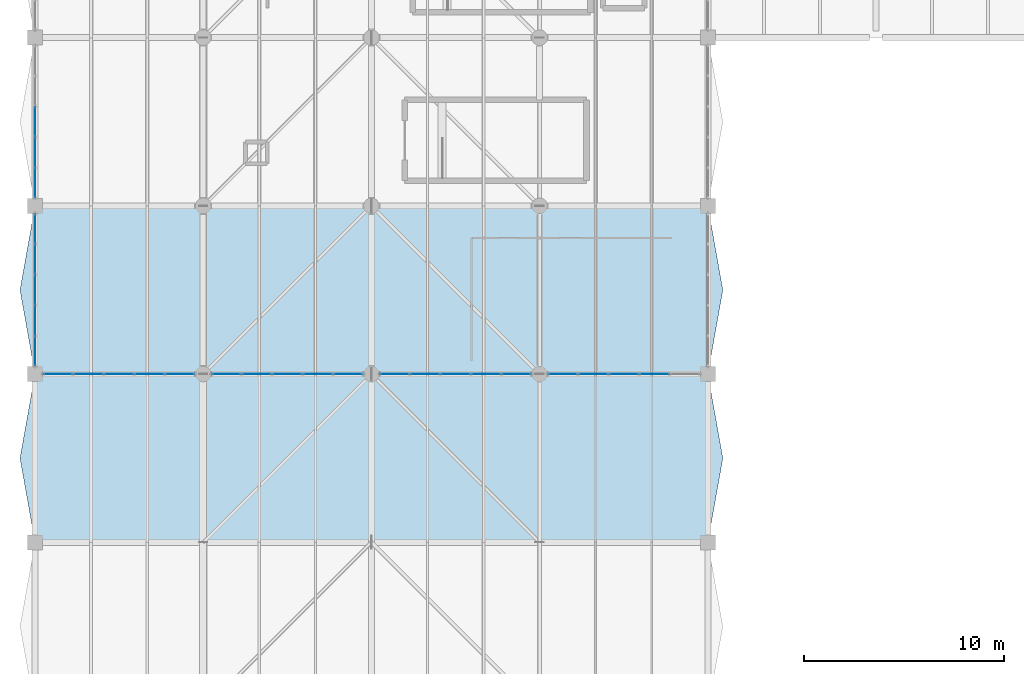
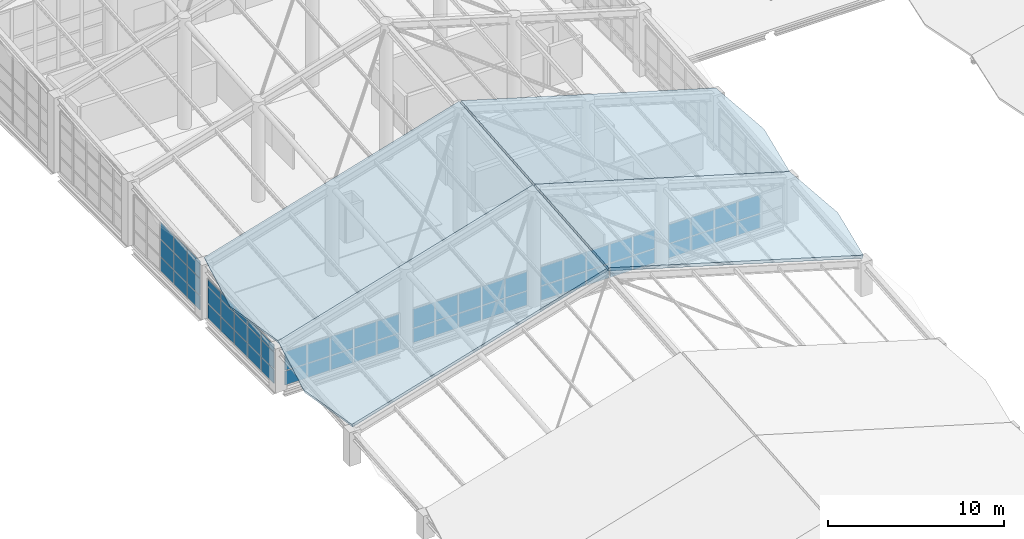
# One storey, part 67 of 95: 62 plates, 4 slabs, 6 elements without a shape of their own.
"""IFC4 building model written with IfcOpenShell, lengths in metres."""

from ifc_helpers import new_model, si_unit, direction, frame, origin, origin_2d, place, context, subcontext, project, spatial, polyline, rectangle, outline, extrude, material, layer, layer_set, type_object, element, aggregate, save


model = new_model("IFC4")

# Units and contexts
model_context = context("Model", 3, precision=1e-05, world=origin(), true_north=direction((0.0, 1.0)))
body_context = subcontext(model_context, "Body", "Model", "MODEL_VIEW")
ifc_project = project(units=[si_unit("LENGTHUNIT", "METRE"), si_unit("AREAUNIT", "SQUARE_METRE"), si_unit("VOLUMEUNIT", "CUBIC_METRE"), si_unit("PLANEANGLEUNIT", "RADIAN"), si_unit("MASSUNIT", "GRAM", prefix="KILO"), si_unit("THERMODYNAMICTEMPERATUREUNIT", "KELVIN"), si_unit("POWERUNIT", "WATT")], contexts=[model_context])

# Site, building, storey
site_placement = place(None, origin())
site = spatial("IfcSite", under=ifc_project, at=site_placement, CompositionType="ELEMENT")
building_placement = place(site_placement, origin())
building = spatial("IfcBuilding", under=site, at=building_placement, Name="Mavoryth Pier Ferry Terminal", CompositionType="ELEMENT")
storey_placement = place(building_placement, frame((0.0, 0.0, 9.60009765625)))
storey = spatial("IfcBuildingStorey", under=building, at=storey_placement, Name="L02", CompositionType="ELEMENT", Elevation=9.60009765625)

# Curtain wall, plates
ifc_material_1 = material(Name="Anodised Aluminium and Solar-Control Low-E Glass", Category="aluminium")
ifc_layer_1 = layer(ifc_material_1, 0.179931640625, Name="Anodised Aluminium and Solar-Control Low-E Glass", Category="aluminium")
ifc_layer_set_1 = layer_set([ifc_layer_1], Name="Anodised Aluminium and Solar-Control Low-E Glass - CW-Concourse-Mod1400")
curtain_wall_type = type_object("IfcCurtainWallType", Name="CW-Concourse-Mod1400", PredefinedType="USERDEFINED", material=ifc_layer_set_1)
curtain_wall_1_placement = place(storey_placement, origin())
curtain_wall_1 = element("IfcCurtainWall", 1, at=curtain_wall_1_placement, inside=storey, type_object=curtain_wall_type, Name="Curtain Wall CW-0222-039", ObjectType="UNITISED CURTAIN WALL", PredefinedType="USERDEFINED")
ifc_material_2 = material(Name="Solar-Control Low-E Laminated Double Glazing", Category="glass")
ifc_layer_2 = layer(ifc_material_2, 0.02392578125, Name="Solar-Control Low-E Laminated Double Glazing", Category="glass")
ifc_layer_set_2 = layer_set([ifc_layer_2], Name="Solar-Control Low-E Laminated Double Glazing - Panel-LowE-DGU-24")
plate_type_1 = type_object("IfcPlateType", Name="Panel-LowE-DGU-24", PredefinedType="CURTAIN_PANEL", material=ifc_layer_set_2)
plate_1_placement = place(storey_placement, frame((1.153564453125, 72.39990234375, 0.059814453125), z_axis=(0.0, 0.0, 1.0), x_axis=(1.0, 0.0, 0.0)))
plate_1 = element("IfcPlate", 2, at=plate_1_placement, type_object=plate_type_1, Name="CW01 panel 1.1", PredefinedType="CURTAIN_PANEL", context=body_context, shape_type="SweptSolid", body=[
    extrude(rectangle(XDim=1.43701171875, YDim=0.02392578125, at=origin_2d()), origin(), (0.0, 0.0, 1.0), 0.9599609375),
])
plate_2_placement = place(storey_placement, frame((1.153564453125, 72.39990234375, 1.079833984375), z_axis=(0.0, 0.0, 1.0), x_axis=(1.0, 0.0, 0.0)))
plate_2 = element("IfcPlate", 3, at=plate_2_placement, type_object=plate_type_1, Name="CW01 panel 1.2", PredefinedType="CURTAIN_PANEL", context=body_context, shape_type="SweptSolid", body=[
    extrude(rectangle(XDim=1.43701171875, YDim=0.02392578125, at=origin_2d()), origin(), (0.0, 0.0, 1.0), 1.2958984375),
])
plate_3_placement = place(storey_placement, frame((2.66552734375, 72.39990234375, 0.059814453125), z_axis=(0.0, 0.0, 1.0), x_axis=(1.0, 0.0, 0.0)))
plate_3 = element("IfcPlate", 4, at=plate_3_placement, type_object=plate_type_1, Name="CW01 panel 2.1", PredefinedType="CURTAIN_PANEL", context=body_context, shape_type="SweptSolid", body=[
    extrude(rectangle(XDim=1.467041015625, YDim=0.02392578125, at=origin_2d()), origin(), (0.0, 0.0, 1.0), 0.9599609375),
])
plate_4_placement = place(storey_placement, frame((2.66552734375, 72.39990234375, 1.079833984375), z_axis=(0.0, 0.0, 1.0), x_axis=(1.0, 0.0, 0.0)))
plate_4 = element("IfcPlate", 5, at=plate_4_placement, type_object=plate_type_1, Name="CW01 panel 2.2", PredefinedType="CURTAIN_PANEL", context=body_context, shape_type="SweptSolid", body=[
    extrude(rectangle(XDim=1.467041015625, YDim=0.02392578125, at=origin_2d()), origin(), (0.0, 0.0, 1.0), 1.2958984375),
])
plate_5_placement = place(storey_placement, frame((4.1923828125, 72.39990234375, 0.059814453125), z_axis=(0.0, 0.0, 1.0), x_axis=(1.0, 0.0, 0.0)))
plate_5 = element("IfcPlate", 6, at=plate_5_placement, type_object=plate_type_1, Name="CW01 panel 3.1", PredefinedType="CURTAIN_PANEL", context=body_context, shape_type="SweptSolid", body=[
    extrude(rectangle(XDim=1.467041015625, YDim=0.02392578125, at=origin_2d()), origin(), (0.0, 0.0, 1.0), 0.9599609375),
])
plate_6_placement = place(storey_placement, frame((4.1923828125, 72.39990234375, 1.079833984375), z_axis=(0.0, 0.0, 1.0), x_axis=(1.0, 0.0, 0.0)))
plate_6 = element("IfcPlate", 7, at=plate_6_placement, type_object=plate_type_1, Name="CW01 panel 3.2", PredefinedType="CURTAIN_PANEL", context=body_context, shape_type="SweptSolid", body=[
    extrude(rectangle(XDim=1.467041015625, YDim=0.02392578125, at=origin_2d()), origin(), (0.0, 0.0, 1.0), 1.2958984375),
])
plate_7_placement = place(storey_placement, frame((5.719482421875, 72.39990234375, 0.059814453125), z_axis=(0.0, 0.0, 1.0), x_axis=(1.0, 0.0, 0.0)))
plate_7 = element("IfcPlate", 8, at=plate_7_placement, type_object=plate_type_1, Name="CW01 panel 4.1", PredefinedType="CURTAIN_PANEL", context=body_context, shape_type="SweptSolid", body=[
    extrude(rectangle(XDim=1.467041015625, YDim=0.02392578125, at=origin_2d()), origin(), (0.0, 0.0, 1.0), 0.9599609375),
])
plate_8_placement = place(storey_placement, frame((5.719482421875, 72.39990234375, 1.079833984375), z_axis=(0.0, 0.0, 1.0), x_axis=(1.0, 0.0, 0.0)))
plate_8 = element("IfcPlate", 9, at=plate_8_placement, type_object=plate_type_1, Name="CW01 panel 4.2", PredefinedType="CURTAIN_PANEL", context=body_context, shape_type="SweptSolid", body=[
    extrude(rectangle(XDim=1.467041015625, YDim=0.02392578125, at=origin_2d()), origin(), (0.0, 0.0, 1.0), 1.2958984375),
])
plate_9_placement = place(storey_placement, frame((7.2314453125, 72.39990234375, 0.059814453125), z_axis=(0.0, 0.0, 1.0), x_axis=(1.0, 0.0, 0.0)))
plate_9 = element("IfcPlate", 10, at=plate_9_placement, type_object=plate_type_1, Name="CW01 panel 5.1", PredefinedType="CURTAIN_PANEL", context=body_context, shape_type="SweptSolid", body=[
    extrude(rectangle(XDim=1.43701171875, YDim=0.02392578125, at=origin_2d()), origin(), (0.0, 0.0, 1.0), 0.9599609375),
])
plate_10_placement = place(storey_placement, frame((7.2314453125, 72.39990234375, 1.079833984375), z_axis=(0.0, 0.0, 1.0), x_axis=(1.0, 0.0, 0.0)))
plate_10 = element("IfcPlate", 11, at=plate_10_placement, type_object=plate_type_1, Name="CW01 panel 5.2", PredefinedType="CURTAIN_PANEL", context=body_context, shape_type="SweptSolid", body=[
    extrude(rectangle(XDim=1.43701171875, YDim=0.02392578125, at=origin_2d()), origin(), (0.0, 0.0, 1.0), 1.2958984375),
])
aggregate(curtain_wall_1, [plate_1, plate_2, plate_3, plate_4, plate_5, plate_6, plate_7, plate_8, plate_9, plate_10])

curtain_wall_2_placement = place(storey_placement, origin())
curtain_wall_2 = element("IfcCurtainWall", 12, at=curtain_wall_2_placement, inside=storey, type_object=curtain_wall_type, Name="Curtain Wall CW-0222-042", ObjectType="UNITISED CURTAIN WALL", PredefinedType="USERDEFINED")
plate_11_placement = place(storey_placement, frame((9.56689453125, 72.39990234375, 0.059814453125), z_axis=(0.0, 0.0, 1.0), x_axis=(1.0, 0.0, 0.0)))
plate_11 = element("IfcPlate", 13, at=plate_11_placement, type_object=plate_type_1, Name="CW01 panel 1.1", PredefinedType="CURTAIN_PANEL", context=body_context, shape_type="SweptSolid", body=[
    extrude(rectangle(XDim=1.43408203125, YDim=0.02392578125, at=origin_2d()), origin(), (0.0, 0.0, 1.0), 0.9599609375),
])
plate_12_placement = place(storey_placement, frame((9.56689453125, 72.39990234375, 1.079833984375), z_axis=(0.0, 0.0, 1.0), x_axis=(1.0, 0.0, 0.0)))
plate_12 = element("IfcPlate", 14, at=plate_12_placement, type_object=plate_type_1, Name="CW01 panel 1.2", PredefinedType="CURTAIN_PANEL", context=body_context, shape_type="SweptSolid", body=[
    extrude(rectangle(XDim=1.43408203125, YDim=0.02392578125, at=origin_2d()), origin(), (0.0, 0.0, 1.0), 1.2958984375),
])
plate_13_placement = place(storey_placement, frame((11.075927734375, 72.39990234375, 0.059814453125), z_axis=(0.0, 0.0, 1.0), x_axis=(1.0, 0.0, 0.0)))
plate_13 = element("IfcPlate", 15, at=plate_13_placement, type_object=plate_type_1, Name="CW01 panel 2.1", PredefinedType="CURTAIN_PANEL", context=body_context, shape_type="SweptSolid", body=[
    extrude(rectangle(XDim=1.464111328125, YDim=0.02392578125, at=origin_2d()), origin(), (0.0, 0.0, 1.0), 0.9599609375),
])
plate_14_placement = place(storey_placement, frame((11.075927734375, 72.39990234375, 1.079833984375), z_axis=(0.0, 0.0, 1.0), x_axis=(1.0, 0.0, 0.0)))
plate_14 = element("IfcPlate", 16, at=plate_14_placement, type_object=plate_type_1, Name="CW01 panel 2.2", PredefinedType="CURTAIN_PANEL", context=body_context, shape_type="SweptSolid", body=[
    extrude(rectangle(XDim=1.464111328125, YDim=0.02392578125, at=origin_2d()), origin(), (0.0, 0.0, 1.0), 1.2958984375),
])
plate_15_placement = place(storey_placement, frame((12.60009765625, 72.39990234375, 0.059814453125), z_axis=(0.0, 0.0, 1.0), x_axis=(1.0, 0.0, 0.0)))
plate_15 = element("IfcPlate", 17, at=plate_15_placement, type_object=plate_type_1, Name="CW01 panel 3.1", PredefinedType="CURTAIN_PANEL", context=body_context, shape_type="SweptSolid", body=[
    extrude(rectangle(XDim=1.464111328125, YDim=0.02392578125, at=origin_2d()), origin(), (0.0, 0.0, 1.0), 0.9599609375),
])
plate_16_placement = place(storey_placement, frame((12.60009765625, 72.39990234375, 1.079833984375), z_axis=(0.0, 0.0, 1.0), x_axis=(1.0, 0.0, 0.0)))
plate_16 = element("IfcPlate", 18, at=plate_16_placement, type_object=plate_type_1, Name="CW01 panel 3.2", PredefinedType="CURTAIN_PANEL", context=body_context, shape_type="SweptSolid", body=[
    extrude(rectangle(XDim=1.464111328125, YDim=0.02392578125, at=origin_2d()), origin(), (0.0, 0.0, 1.0), 1.2958984375),
])
plate_17_placement = place(storey_placement, frame((14.1240234375, 72.39990234375, 0.059814453125), z_axis=(0.0, 0.0, 1.0), x_axis=(1.0, 0.0, 0.0)))
plate_17 = element("IfcPlate", 19, at=plate_17_placement, type_object=plate_type_1, Name="CW01 panel 4.1", PredefinedType="CURTAIN_PANEL", context=body_context, shape_type="SweptSolid", body=[
    extrude(rectangle(XDim=1.464111328125, YDim=0.02392578125, at=origin_2d()), origin(), (0.0, 0.0, 1.0), 0.9599609375),
])
plate_18_placement = place(storey_placement, frame((14.1240234375, 72.39990234375, 1.079833984375), z_axis=(0.0, 0.0, 1.0), x_axis=(1.0, 0.0, 0.0)))
plate_18 = element("IfcPlate", 20, at=plate_18_placement, type_object=plate_type_1, Name="CW01 panel 4.2", PredefinedType="CURTAIN_PANEL", context=body_context, shape_type="SweptSolid", body=[
    extrude(rectangle(XDim=1.464111328125, YDim=0.02392578125, at=origin_2d()), origin(), (0.0, 0.0, 1.0), 1.2958984375),
])
plate_19_placement = place(storey_placement, frame((15.633056640625, 72.39990234375, 0.059814453125), z_axis=(0.0, 0.0, 1.0), x_axis=(1.0, 0.0, 0.0)))
plate_19 = element("IfcPlate", 21, at=plate_19_placement, type_object=plate_type_1, Name="CW01 panel 5.1", PredefinedType="CURTAIN_PANEL", context=body_context, shape_type="SweptSolid", body=[
    extrude(rectangle(XDim=1.43408203125, YDim=0.02392578125, at=origin_2d()), origin(), (0.0, 0.0, 1.0), 0.9599609375),
])
plate_20_placement = place(storey_placement, frame((15.633056640625, 72.39990234375, 1.079833984375), z_axis=(0.0, 0.0, 1.0), x_axis=(1.0, 0.0, 0.0)))
plate_20 = element("IfcPlate", 22, at=plate_20_placement, type_object=plate_type_1, Name="CW01 panel 5.2", PredefinedType="CURTAIN_PANEL", context=body_context, shape_type="SweptSolid", body=[
    extrude(rectangle(XDim=1.43408203125, YDim=0.02392578125, at=origin_2d()), origin(), (0.0, 0.0, 1.0), 1.2958984375),
])
aggregate(curtain_wall_2, [plate_11, plate_12, plate_13, plate_14, plate_15, plate_16, plate_17, plate_18, plate_19, plate_20])

curtain_wall_3_placement = place(storey_placement, origin())
curtain_wall_3 = element("IfcCurtainWall", 23, at=curtain_wall_3_placement, inside=storey, type_object=curtain_wall_type, Name="Curtain Wall CW-0222-045", ObjectType="UNITISED CURTAIN WALL", PredefinedType="USERDEFINED")
plate_21_placement = place(storey_placement, frame((17.967041015625, 72.39990234375, 0.059814453125), z_axis=(0.0, 0.0, 1.0), x_axis=(1.0, 0.0, 0.0)))
plate_21 = element("IfcPlate", 24, at=plate_21_placement, type_object=plate_type_1, Name="CW01 panel 1.1", PredefinedType="CURTAIN_PANEL", context=body_context, shape_type="SweptSolid", body=[
    extrude(rectangle(XDim=1.43408203125, YDim=0.02392578125, at=origin_2d()), origin(), (0.0, 0.0, 1.0), 0.9599609375),
])
plate_22_placement = place(storey_placement, frame((17.967041015625, 72.39990234375, 1.079833984375), z_axis=(0.0, 0.0, 1.0), x_axis=(1.0, 0.0, 0.0)))
plate_22 = element("IfcPlate", 25, at=plate_22_placement, type_object=plate_type_1, Name="CW01 panel 1.2", PredefinedType="CURTAIN_PANEL", context=body_context, shape_type="SweptSolid", body=[
    extrude(rectangle(XDim=1.43408203125, YDim=0.02392578125, at=origin_2d()), origin(), (0.0, 0.0, 1.0), 1.2958984375),
])
plate_23_placement = place(storey_placement, frame((19.47607421875, 72.39990234375, 0.059814453125), z_axis=(0.0, 0.0, 1.0), x_axis=(1.0, 0.0, 0.0)))
plate_23 = element("IfcPlate", 26, at=plate_23_placement, type_object=plate_type_1, Name="CW01 panel 2.1", PredefinedType="CURTAIN_PANEL", context=body_context, shape_type="SweptSolid", body=[
    extrude(rectangle(XDim=1.464111328125, YDim=0.02392578125, at=origin_2d()), origin(), (0.0, 0.0, 1.0), 0.9599609375),
])
plate_24_placement = place(storey_placement, frame((19.47607421875, 72.39990234375, 1.079833984375), z_axis=(0.0, 0.0, 1.0), x_axis=(1.0, 0.0, 0.0)))
plate_24 = element("IfcPlate", 27, at=plate_24_placement, type_object=plate_type_1, Name="CW01 panel 2.2", PredefinedType="CURTAIN_PANEL", context=body_context, shape_type="SweptSolid", body=[
    extrude(rectangle(XDim=1.464111328125, YDim=0.02392578125, at=origin_2d()), origin(), (0.0, 0.0, 1.0), 1.2958984375),
])
plate_25_placement = place(storey_placement, frame((21.0, 72.39990234375, 0.059814453125), z_axis=(0.0, 0.0, 1.0), x_axis=(1.0, 0.0, 0.0)))
plate_25 = element("IfcPlate", 28, at=plate_25_placement, type_object=plate_type_1, Name="CW01 panel 3.1", PredefinedType="CURTAIN_PANEL", context=body_context, shape_type="SweptSolid", body=[
    extrude(rectangle(XDim=1.464111328125, YDim=0.02392578125, at=origin_2d()), origin(), (0.0, 0.0, 1.0), 0.9599609375),
])
plate_26_placement = place(storey_placement, frame((21.0, 72.39990234375, 1.079833984375), z_axis=(0.0, 0.0, 1.0), x_axis=(1.0, 0.0, 0.0)))
plate_26 = element("IfcPlate", 29, at=plate_26_placement, type_object=plate_type_1, Name="CW01 panel 3.2", PredefinedType="CURTAIN_PANEL", context=body_context, shape_type="SweptSolid", body=[
    extrude(rectangle(XDim=1.464111328125, YDim=0.02392578125, at=origin_2d()), origin(), (0.0, 0.0, 1.0), 1.2958984375),
])
plate_27_placement = place(storey_placement, frame((22.52392578125, 72.39990234375, 0.059814453125), z_axis=(0.0, 0.0, 1.0), x_axis=(1.0, 0.0, 0.0)))
plate_27 = element("IfcPlate", 30, at=plate_27_placement, type_object=plate_type_1, Name="CW01 panel 4.1", PredefinedType="CURTAIN_PANEL", context=body_context, shape_type="SweptSolid", body=[
    extrude(rectangle(XDim=1.464111328125, YDim=0.02392578125, at=origin_2d()), origin(), (0.0, 0.0, 1.0), 0.9599609375),
])
plate_28_placement = place(storey_placement, frame((22.52392578125, 72.39990234375, 1.079833984375), z_axis=(0.0, 0.0, 1.0), x_axis=(1.0, 0.0, 0.0)))
plate_28 = element("IfcPlate", 31, at=plate_28_placement, type_object=plate_type_1, Name="CW01 panel 4.2", PredefinedType="CURTAIN_PANEL", context=body_context, shape_type="SweptSolid", body=[
    extrude(rectangle(XDim=1.464111328125, YDim=0.02392578125, at=origin_2d()), origin(), (0.0, 0.0, 1.0), 1.2958984375),
])
plate_29_placement = place(storey_placement, frame((24.032958984375, 72.39990234375, 0.059814453125), z_axis=(0.0, 0.0, 1.0), x_axis=(1.0, 0.0, 0.0)))
plate_29 = element("IfcPlate", 32, at=plate_29_placement, type_object=plate_type_1, Name="CW01 panel 5.1", PredefinedType="CURTAIN_PANEL", context=body_context, shape_type="SweptSolid", body=[
    extrude(rectangle(XDim=1.43408203125, YDim=0.02392578125, at=origin_2d()), origin(), (0.0, 0.0, 1.0), 0.9599609375),
])
plate_30_placement = place(storey_placement, frame((24.032958984375, 72.39990234375, 1.079833984375), z_axis=(0.0, 0.0, 1.0), x_axis=(1.0, 0.0, 0.0)))
plate_30 = element("IfcPlate", 33, at=plate_30_placement, type_object=plate_type_1, Name="CW01 panel 5.2", PredefinedType="CURTAIN_PANEL", context=body_context, shape_type="SweptSolid", body=[
    extrude(rectangle(XDim=1.43408203125, YDim=0.02392578125, at=origin_2d()), origin(), (0.0, 0.0, 1.0), 1.2958984375),
])
aggregate(curtain_wall_3, [plate_21, plate_22, plate_23, plate_24, plate_25, plate_26, plate_27, plate_28, plate_29, plate_30])

curtain_wall_4_placement = place(storey_placement, origin())
curtain_wall_4 = element("IfcCurtainWall", 34, at=curtain_wall_4_placement, inside=storey, type_object=curtain_wall_type, Name="Curtain Wall CW-0222-049", ObjectType="UNITISED CURTAIN WALL", PredefinedType="USERDEFINED")
plate_31_placement = place(storey_placement, frame((26.368408203125, 72.39990234375, 0.059814453125), z_axis=(0.0, 0.0, 1.0), x_axis=(1.0, 0.0, 0.0)))
plate_31 = element("IfcPlate", 35, at=plate_31_placement, type_object=plate_type_1, Name="CW01 panel 1.1", PredefinedType="CURTAIN_PANEL", context=body_context, shape_type="SweptSolid", body=[
    extrude(rectangle(XDim=1.43701171875, YDim=0.02392578125, at=origin_2d()), origin(), (0.0, 0.0, 1.0), 0.9599609375),
])
plate_32_placement = place(storey_placement, frame((26.368408203125, 72.39990234375, 1.079833984375), z_axis=(0.0, 0.0, 1.0), x_axis=(1.0, 0.0, 0.0)))
plate_32 = element("IfcPlate", 36, at=plate_32_placement, type_object=plate_type_1, Name="CW01 panel 1.2", PredefinedType="CURTAIN_PANEL", context=body_context, shape_type="SweptSolid", body=[
    extrude(rectangle(XDim=1.43701171875, YDim=0.02392578125, at=origin_2d()), origin(), (0.0, 0.0, 1.0), 1.2958984375),
])
plate_33_placement = place(storey_placement, frame((27.880615234375, 72.39990234375, 0.059814453125), z_axis=(0.0, 0.0, 1.0), x_axis=(1.0, 0.0, 0.0)))
plate_33 = element("IfcPlate", 37, at=plate_33_placement, type_object=plate_type_1, Name="CW01 panel 2.1", PredefinedType="CURTAIN_PANEL", context=body_context, shape_type="SweptSolid", body=[
    extrude(rectangle(XDim=1.467041015625, YDim=0.02392578125, at=origin_2d()), origin(), (0.0, 0.0, 1.0), 0.9599609375),
])
plate_34_placement = place(storey_placement, frame((27.880615234375, 72.39990234375, 1.079833984375), z_axis=(0.0, 0.0, 1.0), x_axis=(1.0, 0.0, 0.0)))
plate_34 = element("IfcPlate", 38, at=plate_34_placement, type_object=plate_type_1, Name="CW01 panel 2.2", PredefinedType="CURTAIN_PANEL", context=body_context, shape_type="SweptSolid", body=[
    extrude(rectangle(XDim=1.467041015625, YDim=0.02392578125, at=origin_2d()), origin(), (0.0, 0.0, 1.0), 1.2958984375),
])
plate_35_placement = place(storey_placement, frame((29.407470703125, 72.39990234375, 0.059814453125), z_axis=(0.0, 0.0, 1.0), x_axis=(1.0, 0.0, 0.0)))
plate_35 = element("IfcPlate", 39, at=plate_35_placement, type_object=plate_type_1, Name="CW01 panel 3.1", PredefinedType="CURTAIN_PANEL", context=body_context, shape_type="SweptSolid", body=[
    extrude(rectangle(XDim=1.467041015625, YDim=0.02392578125, at=origin_2d()), origin(), (0.0, 0.0, 1.0), 0.9599609375),
])
plate_36_placement = place(storey_placement, frame((29.407470703125, 72.39990234375, 1.079833984375), z_axis=(0.0, 0.0, 1.0), x_axis=(1.0, 0.0, 0.0)))
plate_36 = element("IfcPlate", 40, at=plate_36_placement, type_object=plate_type_1, Name="CW01 panel 3.2", PredefinedType="CURTAIN_PANEL", context=body_context, shape_type="SweptSolid", body=[
    extrude(rectangle(XDim=1.467041015625, YDim=0.02392578125, at=origin_2d()), origin(), (0.0, 0.0, 1.0), 1.2958984375),
])
plate_37_placement = place(storey_placement, frame((30.9345703125, 72.39990234375, 0.059814453125), z_axis=(0.0, 0.0, 1.0), x_axis=(1.0, 0.0, 0.0)))
plate_37 = element("IfcPlate", 41, at=plate_37_placement, type_object=plate_type_1, Name="CW01 panel 4.1", PredefinedType="CURTAIN_PANEL", context=body_context, shape_type="SweptSolid", body=[
    extrude(rectangle(XDim=1.467041015625, YDim=0.02392578125, at=origin_2d()), origin(), (0.0, 0.0, 1.0), 0.9599609375),
])
plate_38_placement = place(storey_placement, frame((30.9345703125, 72.39990234375, 1.079833984375), z_axis=(0.0, 0.0, 1.0), x_axis=(1.0, 0.0, 0.0)))
plate_38 = element("IfcPlate", 42, at=plate_38_placement, type_object=plate_type_1, Name="CW01 panel 4.2", PredefinedType="CURTAIN_PANEL", context=body_context, shape_type="SweptSolid", body=[
    extrude(rectangle(XDim=1.467041015625, YDim=0.02392578125, at=origin_2d()), origin(), (0.0, 0.0, 1.0), 1.2958984375),
])
aggregate(curtain_wall_4, [plate_31, plate_32, plate_33, plate_34, plate_35, plate_36, plate_37, plate_38])

curtain_wall_5_placement = place(storey_placement, origin())
curtain_wall_5 = element("IfcCurtainWall", 43, at=curtain_wall_5_placement, inside=storey, type_object=curtain_wall_type, Name="Curtain Wall CW-0222-021", ObjectType="UNITISED CURTAIN WALL", PredefinedType="USERDEFINED")
ifc_material_3 = material(Name="Acoustic Solar-Control Triple-Laminated Glazing", Category="glass")
ifc_layer_3 = layer(ifc_material_3, 0.033935546875, Name="Acoustic Solar-Control Triple-Laminated Glazing", Category="glass")
ifc_layer_set_3 = layer_set([ifc_layer_3], Name="Acoustic Solar-Control Triple-Laminated Glazing - Panel-LowE-DGU-34")
plate_type_2 = type_object("IfcPlateType", Name="Panel-LowE-DGU-34", PredefinedType="CURTAIN_PANEL", material=ifc_layer_set_3)
plate_39_placement = place(storey_placement, frame((0.0, 79.64501953125, 0.059814453125), z_axis=(0.0, 0.0, 1.0), x_axis=(0.0, -1.0, 0.0)))
plate_39 = element("IfcPlate", 44, at=plate_39_placement, type_object=plate_type_2, Name="CW01 panel 1.1", PredefinedType="CURTAIN_PANEL", context=body_context, shape_type="SweptSolid", body=[
    extrude(rectangle(XDim=1.43994140625, YDim=0.033935546875, at=origin_2d()), origin(), (0.0, 0.0, 1.0), 0.9599609375),
])
plate_40_placement = place(storey_placement, frame((0.0, 79.64501953125, 1.080078125), z_axis=(0.0, 0.0, 1.0), x_axis=(0.0, -1.0, 0.0)))
plate_40 = element("IfcPlate", 45, at=plate_40_placement, type_object=plate_type_2, Name="CW01 panel 1.2", PredefinedType="CURTAIN_PANEL", context=body_context, shape_type="SweptSolid", body=[
    extrude(rectangle(XDim=1.43994140625, YDim=0.033935546875, at=origin_2d()), origin(), (0.0, 0.0, 1.0), 1.139892578125),
])
plate_41_placement = place(storey_placement, frame((0.0, 79.64501953125, 2.27978515625), z_axis=(0.0, 0.0, 1.0), x_axis=(0.0, -1.0, 0.0)))
plate_41 = element("IfcPlate", 46, at=plate_41_placement, type_object=plate_type_2, Name="CW01 panel 1.3", PredefinedType="CURTAIN_PANEL", context=body_context, shape_type="SweptSolid", body=[
    extrude(rectangle(XDim=1.43994140625, YDim=0.033935546875, at=origin_2d()), origin(), (0.0, 0.0, 1.0), 0.453125),
])
plate_42_placement = place(storey_placement, frame((0.0, 78.1298828125, 0.059814453125), z_axis=(0.0, 0.0, 1.0), x_axis=(0.0, -1.0, 0.0)))
plate_42 = element("IfcPlate", 47, at=plate_42_placement, type_object=plate_type_2, Name="CW01 panel 2.1", PredefinedType="CURTAIN_PANEL", context=body_context, shape_type="SweptSolid", body=[
    extrude(rectangle(XDim=1.469970703125, YDim=0.033935546875, at=origin_2d()), origin(), (0.0, 0.0, 1.0), 0.9599609375),
])
plate_43_placement = place(storey_placement, frame((0.0, 78.1298828125, 1.080078125), z_axis=(0.0, 0.0, 1.0), x_axis=(0.0, -1.0, 0.0)))
plate_43 = element("IfcPlate", 48, at=plate_43_placement, type_object=plate_type_2, Name="CW01 panel 2.2", PredefinedType="CURTAIN_PANEL", context=body_context, shape_type="SweptSolid", body=[
    extrude(rectangle(XDim=1.469970703125, YDim=0.033935546875, at=origin_2d()), origin(), (0.0, 0.0, 1.0), 1.139892578125),
])
plate_44_placement = place(storey_placement, frame((0.0, 78.1298828125, 2.27978515625), z_axis=(0.0, 0.0, 1.0), x_axis=(0.0, -1.0, 0.0)))
plate_44 = element("IfcPlate", 49, at=plate_44_placement, type_object=plate_type_2, Name="CW01 panel 2.3", PredefinedType="CURTAIN_PANEL", context=body_context, shape_type="SweptSolid", body=[
    extrude(rectangle(XDim=1.469970703125, YDim=0.033935546875, at=origin_2d()), origin(), (0.0, 0.0, 1.0), 0.453125),
])
plate_45_placement = place(storey_placement, frame((0.0, 76.60009765625, 0.059814453125), z_axis=(0.0, 0.0, 1.0), x_axis=(0.0, -1.0, 0.0)))
plate_45 = element("IfcPlate", 50, at=plate_45_placement, type_object=plate_type_2, Name="CW01 panel 3.1", PredefinedType="CURTAIN_PANEL", context=body_context, shape_type="SweptSolid", body=[
    extrude(rectangle(XDim=1.469970703125, YDim=0.033935546875, at=origin_2d()), origin(), (0.0, 0.0, 1.0), 0.9599609375),
])
plate_46_placement = place(storey_placement, frame((0.0, 76.60009765625, 1.080078125), z_axis=(0.0, 0.0, 1.0), x_axis=(0.0, -1.0, 0.0)))
plate_46 = element("IfcPlate", 51, at=plate_46_placement, type_object=plate_type_2, Name="CW01 panel 3.2", PredefinedType="CURTAIN_PANEL", context=body_context, shape_type="SweptSolid", body=[
    extrude(rectangle(XDim=1.469970703125, YDim=0.033935546875, at=origin_2d()), origin(), (0.0, 0.0, 1.0), 1.139892578125),
])
plate_47_placement = place(storey_placement, frame((0.0, 76.60009765625, 2.27978515625), z_axis=(0.0, 0.0, 1.0), x_axis=(0.0, -1.0, 0.0)))
plate_47 = element("IfcPlate", 52, at=plate_47_placement, type_object=plate_type_2, Name="CW01 panel 3.3", PredefinedType="CURTAIN_PANEL", context=body_context, shape_type="SweptSolid", body=[
    extrude(rectangle(XDim=1.469970703125, YDim=0.033935546875, at=origin_2d()), origin(), (0.0, 0.0, 1.0), 0.453125),
])
plate_48_placement = place(storey_placement, frame((0.0, 75.070068359375, 0.059814453125), z_axis=(0.0, 0.0, 1.0), x_axis=(0.0, -1.0, 0.0)))
plate_48 = element("IfcPlate", 53, at=plate_48_placement, type_object=plate_type_2, Name="CW01 panel 4.1", PredefinedType="CURTAIN_PANEL", context=body_context, shape_type="SweptSolid", body=[
    extrude(rectangle(XDim=1.469970703125, YDim=0.033935546875, at=origin_2d()), origin(), (0.0, 0.0, 1.0), 0.9599609375),
])
plate_49_placement = place(storey_placement, frame((0.0, 75.070068359375, 1.080078125), z_axis=(0.0, 0.0, 1.0), x_axis=(0.0, -1.0, 0.0)))
plate_49 = element("IfcPlate", 54, at=plate_49_placement, type_object=plate_type_2, Name="CW01 panel 4.2", PredefinedType="CURTAIN_PANEL", context=body_context, shape_type="SweptSolid", body=[
    extrude(rectangle(XDim=1.469970703125, YDim=0.033935546875, at=origin_2d()), origin(), (0.0, 0.0, 1.0), 1.139892578125),
])
plate_50_placement = place(storey_placement, frame((0.0, 75.070068359375, 2.27978515625), z_axis=(0.0, 0.0, 1.0), x_axis=(0.0, -1.0, 0.0)))
plate_50 = element("IfcPlate", 55, at=plate_50_placement, type_object=plate_type_2, Name="CW01 panel 4.3", PredefinedType="CURTAIN_PANEL", context=body_context, shape_type="SweptSolid", body=[
    extrude(rectangle(XDim=1.469970703125, YDim=0.033935546875, at=origin_2d()), origin(), (0.0, 0.0, 1.0), 0.453125),
])
plate_51_placement = place(storey_placement, frame((0.0, 73.554931640625, 0.059814453125), z_axis=(0.0, 0.0, 1.0), x_axis=(0.0, -1.0, 0.0)))
plate_51 = element("IfcPlate", 56, at=plate_51_placement, type_object=plate_type_2, Name="CW01 panel 5.1", PredefinedType="CURTAIN_PANEL", context=body_context, shape_type="SweptSolid", body=[
    extrude(rectangle(XDim=1.43994140625, YDim=0.033935546875, at=origin_2d()), origin(), (0.0, 0.0, 1.0), 0.9599609375),
])
plate_52_placement = place(storey_placement, frame((0.0, 73.554931640625, 1.080078125), z_axis=(0.0, 0.0, 1.0), x_axis=(0.0, -1.0, 0.0)))
plate_52 = element("IfcPlate", 57, at=plate_52_placement, type_object=plate_type_2, Name="CW01 panel 5.2", PredefinedType="CURTAIN_PANEL", context=body_context, shape_type="SweptSolid", body=[
    extrude(rectangle(XDim=1.43994140625, YDim=0.033935546875, at=origin_2d()), origin(), (0.0, 0.0, 1.0), 1.139892578125),
])
plate_53_placement = place(storey_placement, frame((0.0, 73.554931640625, 2.27978515625), z_axis=(0.0, 0.0, 1.0), x_axis=(0.0, -1.0, 0.0)))
plate_53 = element("IfcPlate", 58, at=plate_53_placement, type_object=plate_type_2, Name="CW01 panel 5.3", PredefinedType="CURTAIN_PANEL", context=body_context, shape_type="SweptSolid", body=[
    extrude(rectangle(XDim=1.43994140625, YDim=0.033935546875, at=origin_2d()), origin(), (0.0, 0.0, 1.0), 0.453125),
])
aggregate(curtain_wall_5, [plate_39, plate_40, plate_41, plate_42, plate_43, plate_44, plate_45, plate_46, plate_47, plate_48, plate_49, plate_50, plate_51, plate_52, plate_53])

curtain_wall_6_placement = place(storey_placement, origin())
curtain_wall_6 = element("IfcCurtainWall", 59, at=curtain_wall_6_placement, inside=storey, type_object=curtain_wall_type, Name="Curtain Wall CW-0222-023", ObjectType="UNITISED CURTAIN WALL", PredefinedType="USERDEFINED")
plate_54_placement = place(storey_placement, frame((0.0, 85.0, 0.059814453125), z_axis=(0.0, 0.0, 1.0), x_axis=(0.0, -1.0, 0.0)))
plate_54 = element("IfcPlate", 60, at=plate_54_placement, type_object=plate_type_2, Name="CW01 panel 3.1", PredefinedType="CURTAIN_PANEL", context=body_context, shape_type="SweptSolid", body=[
    extrude(rectangle(XDim=1.469970703125, YDim=0.033935546875, at=origin_2d()), origin(), (0.0, 0.0, 1.0), 0.9599609375),
])
plate_55_placement = place(storey_placement, frame((0.0, 85.0, 1.080078125), z_axis=(0.0, 0.0, 1.0), x_axis=(0.0, -1.0, 0.0)))
plate_55 = element("IfcPlate", 61, at=plate_55_placement, type_object=plate_type_2, Name="CW01 panel 3.2", PredefinedType="CURTAIN_PANEL", context=body_context, shape_type="SweptSolid", body=[
    extrude(rectangle(XDim=1.469970703125, YDim=0.033935546875, at=origin_2d()), origin(), (0.0, 0.0, 1.0), 1.139892578125),
])
plate_56_placement = place(storey_placement, frame((0.0, 85.0, 2.280029296875), z_axis=(0.0, 0.0, 1.0), x_axis=(0.0, -1.0, 0.0)))
plate_56 = element("IfcPlate", 62, at=plate_56_placement, type_object=plate_type_2, Name="CW01 panel 3.3", PredefinedType="CURTAIN_PANEL", context=body_context, shape_type="SweptSolid", body=[
    extrude(rectangle(XDim=1.469970703125, YDim=0.033935546875, at=origin_2d()), origin(), (0.0, 0.0, 1.0), 1.16748046875),
])
plate_57_placement = place(storey_placement, frame((0.0, 83.469970703125, 0.059814453125), z_axis=(0.0, 0.0, 1.0), x_axis=(0.0, -1.0, 0.0)))
plate_57 = element("IfcPlate", 63, at=plate_57_placement, type_object=plate_type_2, Name="CW01 panel 4.1", PredefinedType="CURTAIN_PANEL", context=body_context, shape_type="SweptSolid", body=[
    extrude(rectangle(XDim=1.469970703125, YDim=0.033935546875, at=origin_2d()), origin(), (0.0, 0.0, 1.0), 0.9599609375),
])
plate_58_placement = place(storey_placement, frame((0.0, 83.469970703125, 1.080078125), z_axis=(0.0, 0.0, 1.0), x_axis=(0.0, -1.0, 0.0)))
plate_58 = element("IfcPlate", 64, at=plate_58_placement, type_object=plate_type_2, Name="CW01 panel 4.2", PredefinedType="CURTAIN_PANEL", context=body_context, shape_type="SweptSolid", body=[
    extrude(rectangle(XDim=1.469970703125, YDim=0.033935546875, at=origin_2d()), origin(), (0.0, 0.0, 1.0), 1.139892578125),
])
plate_59_placement = place(storey_placement, frame((0.0, 83.469970703125, 2.280029296875), z_axis=(0.0, 0.0, 1.0), x_axis=(0.0, -1.0, 0.0)))
plate_59 = element("IfcPlate", 65, at=plate_59_placement, type_object=plate_type_2, Name="CW01 panel 4.3", PredefinedType="CURTAIN_PANEL", context=body_context, shape_type="SweptSolid", body=[
    extrude(rectangle(XDim=1.469970703125, YDim=0.033935546875, at=origin_2d()), origin(), (0.0, 0.0, 1.0), 1.16748046875),
])
plate_60_placement = place(storey_placement, frame((0.0, 81.955078125, 0.059814453125), z_axis=(0.0, 0.0, 1.0), x_axis=(0.0, -1.0, 0.0)))
plate_60 = element("IfcPlate", 66, at=plate_60_placement, type_object=plate_type_2, Name="CW01 panel 5.1", PredefinedType="CURTAIN_PANEL", context=body_context, shape_type="SweptSolid", body=[
    extrude(rectangle(XDim=1.43994140625, YDim=0.033935546875, at=origin_2d()), origin(), (0.0, 0.0, 1.0), 0.9599609375),
])
plate_61_placement = place(storey_placement, frame((0.0, 81.955078125, 1.080078125), z_axis=(0.0, 0.0, 1.0), x_axis=(0.0, -1.0, 0.0)))
plate_61 = element("IfcPlate", 67, at=plate_61_placement, type_object=plate_type_2, Name="CW01 panel 5.2", PredefinedType="CURTAIN_PANEL", context=body_context, shape_type="SweptSolid", body=[
    extrude(rectangle(XDim=1.43994140625, YDim=0.033935546875, at=origin_2d()), origin(), (0.0, 0.0, 1.0), 1.139892578125),
])
plate_62_placement = place(storey_placement, frame((0.0, 81.955078125, 2.280029296875), z_axis=(0.0, 0.0, 1.0), x_axis=(0.0, -1.0, 0.0)))
plate_62 = element("IfcPlate", 68, at=plate_62_placement, type_object=plate_type_2, Name="CW01 panel 5.3", PredefinedType="CURTAIN_PANEL", context=body_context, shape_type="SweptSolid", body=[
    extrude(rectangle(XDim=1.43994140625, YDim=0.033935546875, at=origin_2d()), origin(), (0.0, 0.0, 1.0), 1.16748046875),
])
aggregate(curtain_wall_6, [plate_54, plate_55, plate_56, plate_57, plate_58, plate_59, plate_60, plate_61, plate_62])

# Slabs
ifc_material_4 = material(Name="Concrete C35/45", Category="concrete")
ifc_layer_4 = layer(ifc_material_4, 0.219970703125, Name="Concrete C35/45", Category="concrete")
ifc_layer_set_4 = layer_set([ifc_layer_4], Name="Concrete C35/45 - Slab-Roof-FoldedV1-220")
slab_type = type_object("IfcSlabType", Name="Slab-Roof-FoldedV1-220", PredefinedType="ROOF", material=ifc_layer_set_4)
slab_1_placement = place(storey_placement, frame((0.0, 64.0, 2.571533203125), z_axis=(-0.284133155845, -0.081244964769, 0.955336383401), x_axis=(0.958505048522, -1.82032e-07, 0.285075554823)))
element("IfcSlab", 69, at=slab_1_placement, inside=storey, type_object=slab_type, Name="Departure Folded Roof West Bay 6", PredefinedType="ROOF", context=body_context, shape_type="SweptSolid", body=[
    extrude(outline(polyline([(0.0, 0.0), (17.45626953842037, 0.0), (17.659913290966493, 8.427763187365834), (0.2036437525461263, 8.427763187365834), (-0.6806699611703131, 4.213875074502775), (0.0, 0.0)])), origin(), (0.0, 0.0, -1.0), 0.219970703125),
])
slab_2_placement = place(storey_placement, frame((16.867919921875, 64.0, 7.5478515625), z_axis=(0.284129428268, -0.081245058374, 0.955337484077), x_axis=(0.958506160351, 1.89107e-07, -0.285071816512)))
element("IfcSlab", 70, at=slab_2_placement, inside=storey, type_object=slab_type, Name="Departure Folded Roof East Bay 6", PredefinedType="ROOF", context=body_context, shape_type="SweptSolid", body=[
    extrude(outline(polyline([(0.0, 0.0), (17.45650354873267, -5.551115123125783e-17), (18.137174874547455, 4.213874854013092), (17.25286252609967, 8.427763253329482), (-0.20364102263300257, 8.427763253329482), (0.0, 0.0)])), origin(), (0.0, 0.0, -1.0), 0.219970703125),
])
slab_3_placement = place(storey_placement, frame((0.0, 72.39990234375, 3.285888671875), z_axis=(-0.284133476815, -0.081242612371, 0.955336487992), x_axis=(0.95850496958, -2.04599e-07, 0.28507582025)))
element("IfcSlab", 71, at=slab_3_placement, inside=storey, type_object=slab_type, Name="Departure Folded Roof West Bay 7", PredefinedType="ROOF", context=body_context, shape_type="SweptSolid", body=[
    extrude(outline(polyline([(0.0, 0.0), (17.456269538408826, -5.551115123125783e-17), (17.659913290955085, 8.428006520924125), (0.2036437525462609, 8.428006520924127), (-0.680669961216924, 4.2141184082621015), (0.0, 0.0)])), origin(), (0.0, 0.0, -1.0), 0.219970703125),
])
slab_4_placement = place(storey_placement, frame((16.867919921875, 72.39990234375, 8.26220703125), z_axis=(0.284129749234, -0.081242705974, 0.95533758867), x_axis=(0.958506081411, 2.11673e-07, -0.285072081935)))
element("IfcSlab", 72, at=slab_4_placement, inside=storey, type_object=slab_type, Name="Departure Folded Roof East Bay 7", PredefinedType="ROOF", context=body_context, shape_type="SweptSolid", body=[
    extrude(outline(polyline([(0.0, 0.0), (17.456503548720704, 5.551115123125783e-17), (18.13717487458381, 4.214118187777874), (17.25286252608756, 8.42800658688587), (-0.20364102263314213, 8.42800658688587), (0.0, 0.0)])), origin(), (0.0, 0.0, -1.0), 0.219970703125),
])

save(model, "model.ifc")
